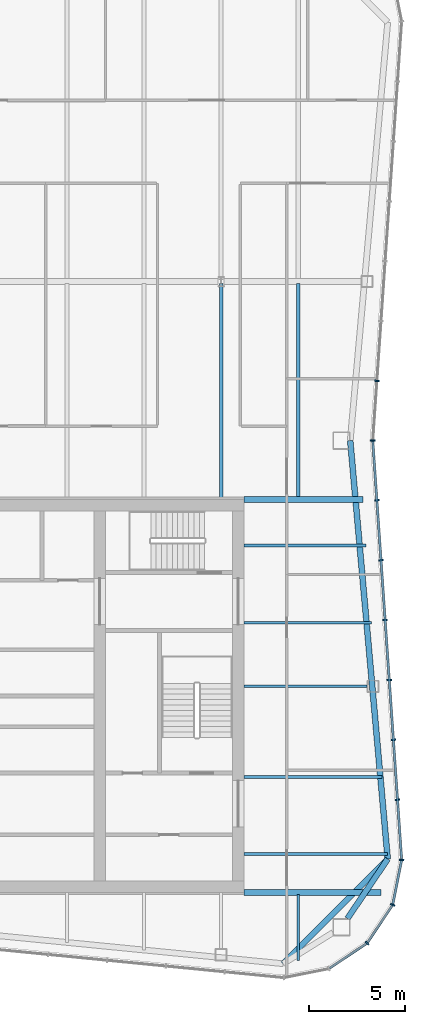
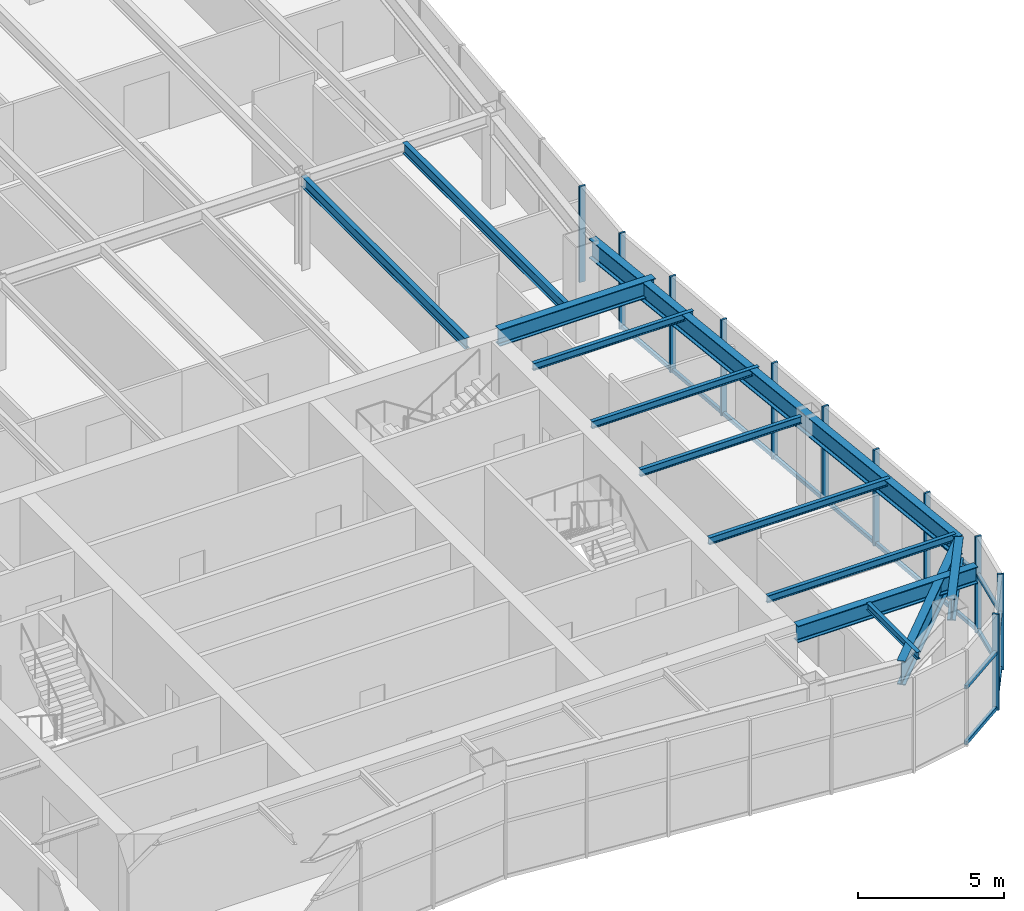
# One storey, part 5 of 13: 19 members, 13 beams, 2 elements without a shape of their own.
"""IFC4 building model written with IfcOpenShell, lengths in metres."""

from ifc_helpers import new_model, si_unit, direction, frame, origin, origin_2d, place, context, subcontext, project, spatial, rectangle, i_section, extrude, material, material_profile, profile_set, type_object, element, aggregate, save


model = new_model("IFC4")

# Units and contexts
model_context = context("Model", 3, precision=1e-05, world=origin(), true_north=direction((0.0, 1.0)))
body_context = subcontext(model_context, "Body", "Model", "MODEL_VIEW")
ifc_project = project(units=[si_unit("LENGTHUNIT", "METRE"), si_unit("AREAUNIT", "SQUARE_METRE"), si_unit("VOLUMEUNIT", "CUBIC_METRE"), si_unit("PLANEANGLEUNIT", "RADIAN"), si_unit("MASSUNIT", "GRAM", prefix="KILO")], contexts=[model_context])

# Site, building, storey
site_placement = place(None, origin())
site = spatial("IfcSite", under=ifc_project, at=site_placement, CompositionType="ELEMENT")
building_placement = place(site_placement, origin())
building = spatial("IfcBuilding", under=site, at=building_placement, Name="Verdant Reach Tower", CompositionType="ELEMENT")
storey_placement = place(building_placement, frame((0.0, 0.0, 364.0)))
storey = spatial("IfcBuildingStorey", under=building, at=storey_placement, Name="L82 Plant", CompositionType="ELEMENT", Elevation=364.0)

# Curtain wall, members
ifc_material_1 = material(Name="Anodised aluminium", Category="aluminium")
curtain_wall_type = type_object("IfcCurtainWallType", Name="EN-CW SYSTEM PLANT", PredefinedType="NOTDEFINED", material=ifc_material_1)
curtain_wall_1_placement = place(storey_placement, origin())
curtain_wall_1 = element("IfcCurtainWall", 1, at=curtain_wall_1_placement, inside=storey, type_object=curtain_wall_type, Name="Curtain wall south-east corner, L82", PredefinedType="NOTDEFINED")
ifc_material_profile_1 = material_profile(ifc_material_1, rectangle(XDim=0.238037109375, YDim=0.080078125, at=origin_2d()), Name="Mullion 80x240")
ifc_profile_set_1 = profile_set([ifc_material_profile_1], Name="Anodised aluminium")
member_type_1 = type_object("IfcMemberType", Name="EN-MULLION PLANT", PredefinedType="MULLION", material=ifc_profile_set_1)
member_1_placement = place(storey_placement, frame((19.57666015625, 15.17333984375, -0.35009765625), z_axis=(0.0, 0.0, 1.0), x_axis=(0.707106781187, -0.707106781187, 0.0)))
member_1 = element("IfcMember", 2, at=member_1_placement, type_object=member_type_1, Name="Mullion south-east corner 3, L82", PredefinedType="MULLION", context=body_context, shape_type="SweptSolid", body=[
    extrude(rectangle(XDim=0.238037109375, YDim=0.080078125, at=origin_2d()), origin(), (0.0, 0.0, 1.0), 4.0),
])
member_2_placement = place(storey_placement, frame((20.9033203125, 17.158447265625, -0.35009765625), z_axis=(0.0, 0.0, 1.0), x_axis=(0.923875215753, -0.382693853776, 0.0)))
member_2 = element("IfcMember", 3, at=member_2_placement, type_object=member_type_1, Name="Mullion south-east corner 4, L82", PredefinedType="MULLION", context=body_context, shape_type="SweptSolid", body=[
    extrude(rectangle(XDim=0.238037109375, YDim=0.080078125, at=origin_2d()), origin(), (0.0, 0.0, 1.0), 4.0),
])

curtain_wall_2_placement = place(storey_placement, origin())
curtain_wall_2 = element("IfcCurtainWall", 4, at=curtain_wall_2_placement, inside=storey, type_object=curtain_wall_type, Name="Curtain wall east, L82", PredefinedType="NOTDEFINED")
member_3_placement = place(storey_placement, frame((21.36865234375, 19.492431640625, -0.35009765625), z_axis=(0.0, 0.0, 1.0), x_axis=(0.997969180898, -0.063698618332, 0.0)))
member_3 = element("IfcMember", 5, at=member_3_placement, type_object=member_type_1, Name="Mullion east face part 1 1, L82", PredefinedType="MULLION", context=body_context, shape_type="SweptSolid", body=[
    extrude(rectangle(XDim=0.238037109375, YDim=0.080078125, at=origin_2d()), origin(), (0.0, 0.0, 1.0), 4.0),
])
member_4_placement = place(storey_placement, frame((21.154541015625, 22.615234375, -0.35009765625), z_axis=(0.0, 0.0, 1.0), x_axis=(0.997630328423, 0.068802091615, 0.0)))
member_4 = element("IfcMember", 6, at=member_4_placement, type_object=member_type_1, Name="Mullion east face part 1 2, L82", PredefinedType="MULLION", context=body_context, shape_type="SweptSolid", body=[
    extrude(rectangle(XDim=0.238037109375, YDim=0.080078125, at=origin_2d()), origin(), (0.0, 0.0, 1.0), 4.0),
])
member_5_placement = place(storey_placement, frame((20.940185546875, 25.722412109375, -0.35009765625), z_axis=(0.0, 0.0, 1.0), x_axis=(0.997630328423, 0.068802091615, 0.0)))
member_5 = element("IfcMember", 7, at=member_5_placement, type_object=member_type_1, Name="Mullion east face part 1 3, L82", PredefinedType="MULLION", context=body_context, shape_type="SweptSolid", body=[
    extrude(rectangle(XDim=0.238037109375, YDim=0.080078125, at=origin_2d()), origin(), (0.0, 0.0, 1.0), 4.0),
])
member_6_placement = place(storey_placement, frame((20.725830078125, 28.82958984375, -0.35009765625), z_axis=(0.0, 0.0, 1.0), x_axis=(0.997630328423, 0.068802091615, 0.0)))
member_6 = element("IfcMember", 8, at=member_6_placement, type_object=member_type_1, Name="Mullion east face part 1 4, L82", PredefinedType="MULLION", context=body_context, shape_type="SweptSolid", body=[
    extrude(rectangle(XDim=0.238037109375, YDim=0.080078125, at=origin_2d()), origin(), (0.0, 0.0, 1.0), 4.0),
])
member_7_placement = place(storey_placement, frame((20.511474609375, 31.936767578125, -0.35009765625), z_axis=(0.0, 0.0, 1.0), x_axis=(0.997630328423, 0.068802091615, 0.0)))
member_7 = element("IfcMember", 9, at=member_7_placement, type_object=member_type_1, Name="Mullion east face part 1 5, L82", PredefinedType="MULLION", context=body_context, shape_type="SweptSolid", body=[
    extrude(rectangle(XDim=0.238037109375, YDim=0.080078125, at=origin_2d()), origin(), (0.0, 0.0, 1.0), 4.0),
])
member_8_placement = place(storey_placement, frame((20.29736328125, 35.0439453125, -0.35009765625), z_axis=(0.0, 0.0, 1.0), x_axis=(0.997630328423, 0.068802091615, 0.0)))
member_8 = element("IfcMember", 10, at=member_8_placement, type_object=member_type_1, Name="Mullion east face part 1 6, L82", PredefinedType="MULLION", context=body_context, shape_type="SweptSolid", body=[
    extrude(rectangle(XDim=0.238037109375, YDim=0.080078125, at=origin_2d()), origin(), (0.0, 0.0, 1.0), 4.0),
])
member_9_placement = place(storey_placement, frame((20.0830078125, 38.151123046875, -0.35009765625), z_axis=(0.0, 0.0, 1.0), x_axis=(0.997630328423, 0.068802091615, 0.0)))
member_9 = element("IfcMember", 11, at=member_9_placement, type_object=member_type_1, Name="Mullion east face part 1 7, L82", PredefinedType="MULLION", context=body_context, shape_type="SweptSolid", body=[
    extrude(rectangle(XDim=0.238037109375, YDim=0.080078125, at=origin_2d()), origin(), (0.0, 0.0, 1.0), 4.0),
])
member_10_placement = place(storey_placement, frame((19.868896484375, 41.25, -0.35009765625), z_axis=(0.0, 0.0, 1.0), x_axis=(1.0, 0.0, 0.0)))
member_10 = element("IfcMember", 12, at=member_10_placement, type_object=member_type_1, Name="Mullion east face part 2 1, L82", PredefinedType="MULLION", context=body_context, shape_type="SweptSolid", body=[
    extrude(rectangle(XDim=0.238037109375, YDim=0.080078125, at=origin_2d()), origin(), (0.0, 0.0, 1.0), 4.0),
])
member_11_placement = place(storey_placement, frame((20.0830078125, 44.348876953125, -0.35009765625), z_axis=(0.0, 0.0, 1.0), x_axis=(0.997630328423, -0.068802091615, 0.0)))
member_11 = element("IfcMember", 13, at=member_11_placement, type_object=member_type_1, Name="Mullion east face part 2 2, L82", PredefinedType="MULLION", context=body_context, shape_type="SweptSolid", body=[
    extrude(rectangle(XDim=0.238037109375, YDim=0.080078125, at=origin_2d()), origin(), (0.0, 0.0, 1.0), 4.0),
])

# Member
ifc_material_profile_2 = material_profile(ifc_material_1, rectangle(XDim=0.1201171875, YDim=0.14990234375, at=origin_2d()), Name="Transom 150x120")
ifc_profile_set_2 = profile_set([ifc_material_profile_2], Name="Anodised aluminium")
member_type_2 = type_object("IfcMemberType", Name="EN-TRANSOM PLANT", PredefinedType="USERDEFINED", material=ifc_profile_set_2)
member_12_placement = place(storey_placement, frame((17.625, 13.868896484375, -0.27490234375), z_axis=(0.831398626828, 0.5556764556, 0.0), x_axis=(-0.5556764556, 0.831398626828, 0.0)))
member_12 = element("IfcMember", 14, at=member_12_placement, type_object=member_type_2, Name="Transom south-east corner 2.1, L82", ObjectType="TRANSOM", PredefinedType="USERDEFINED", context=body_context, shape_type="SweptSolid", body=[
    extrude(rectangle(XDim=0.1201171875, YDim=0.14990234375, at=origin_2d()), origin(), (0.0, 0.0, 1.0), 2.3076171875),
])

member_13_placement = place(storey_placement, frame((19.598876953125, 15.20654296875, -0.27490234375), z_axis=(0.5556764556, 0.831398626828, 0.0), x_axis=(-0.831398626828, 0.5556764556, 0.0)))
member_13 = element("IfcMember", 15, at=member_13_placement, type_object=member_type_2, Name="Transom south-east corner 3.1, L82", ObjectType="TRANSOM", PredefinedType="USERDEFINED", context=body_context, shape_type="SweptSolid", body=[
    extrude(rectangle(XDim=0.1201171875, YDim=0.14990234375, at=origin_2d()), origin(), (0.0, 0.0, 1.0), 2.3076171875),
])

member_14_placement = place(storey_placement, frame((20.9111328125, 17.197509765625, -0.27490234375), z_axis=(0.195524121666, 0.980698892549, 0.0), x_axis=(-0.980698892549, 0.195524121666, 0.0)))
member_14 = element("IfcMember", 16, at=member_14_placement, type_object=member_type_2, Name="Transom south-east corner 4.1, L82", ObjectType="TRANSOM", PredefinedType="USERDEFINED", context=body_context, shape_type="SweptSolid", body=[
    extrude(rectangle(XDim=0.1201171875, YDim=0.14990234375, at=origin_2d()), origin(), (0.0, 0.0, 1.0), 2.300048828125),
])

member_15_placement = place(storey_placement, frame((17.625, 13.868896484375, 2.050048828125), z_axis=(0.831398626828, 0.5556764556, 0.0), x_axis=(-0.5556764556, 0.831398626828, 0.0)))
member_15 = element("IfcMember", 17, at=member_15_placement, type_object=member_type_2, Name="Transom south-east corner 2.2, L82", ObjectType="TRANSOM", PredefinedType="USERDEFINED", context=body_context, shape_type="SweptSolid", body=[
    extrude(rectangle(XDim=0.1201171875, YDim=0.14990234375, at=origin_2d()), origin(), (0.0, 0.0, 1.0), 2.3076171875),
])

member_16_placement = place(storey_placement, frame((19.598876953125, 15.20654296875, 2.050048828125), z_axis=(0.5556764556, 0.831398626828, 0.0), x_axis=(-0.831398626828, 0.5556764556, 0.0)))
member_16 = element("IfcMember", 18, at=member_16_placement, type_object=member_type_2, Name="Transom south-east corner 3.2, L82", ObjectType="TRANSOM", PredefinedType="USERDEFINED", context=body_context, shape_type="SweptSolid", body=[
    extrude(rectangle(XDim=0.1201171875, YDim=0.14990234375, at=origin_2d()), origin(), (0.0, 0.0, 1.0), 2.3076171875),
])

member_17_placement = place(storey_placement, frame((20.9111328125, 17.197509765625, 2.050048828125), z_axis=(0.195524121666, 0.980698892549, 0.0), x_axis=(-0.980698892549, 0.195524121666, 0.0)))
member_17 = element("IfcMember", 19, at=member_17_placement, type_object=member_type_2, Name="Transom south-east corner 4.2, L82", ObjectType="TRANSOM", PredefinedType="USERDEFINED", context=body_context, shape_type="SweptSolid", body=[
    extrude(rectangle(XDim=0.1201171875, YDim=0.14990234375, at=origin_2d()), origin(), (0.0, 0.0, 1.0), 2.300048828125),
])

aggregate(curtain_wall_1, [member_1, member_2, member_12, member_13, member_14, member_15, member_16, member_17])

member_18_placement = place(storey_placement, frame((21.365966796875, 19.5322265625, -0.27490234375), z_axis=(-0.068761218296, 0.997633146431, 0.0), x_axis=(-0.997633146431, -0.068761218296, 0.0)))
member_18 = element("IfcMember", 20, at=member_18_placement, type_object=member_type_2, Name="Transom east face part 1 1.1, L82", ObjectType="TRANSOM", PredefinedType="USERDEFINED", context=body_context, shape_type="SweptSolid", body=[
    extrude(rectangle(XDim=0.1201171875, YDim=0.14990234375, at=origin_2d()), origin(), (0.0, 0.0, 1.0), 21.7294921875),
])

member_19_placement = place(storey_placement, frame((21.365966796875, 19.5322265625, 2.050048828125), z_axis=(-0.068761218296, 0.997633146431, 0.0), x_axis=(-0.997633146431, -0.068761218296, 0.0)))
member_19 = element("IfcMember", 21, at=member_19_placement, type_object=member_type_2, Name="Transom east face part 1 1.2, L82", ObjectType="TRANSOM", PredefinedType="USERDEFINED", context=body_context, shape_type="SweptSolid", body=[
    extrude(rectangle(XDim=0.1201171875, YDim=0.14990234375, at=origin_2d()), origin(), (0.0, 0.0, 1.0), 21.7294921875),
])

aggregate(curtain_wall_2, [member_3, member_4, member_5, member_6, member_7, member_8, member_9, member_18, member_19, member_10, member_11])

# Beams
ifc_material_2 = material(Name="Steel S355", Category="steel")
ifc_material_profile_3 = material_profile(ifc_material_2, i_section(OverallWidth=0.300048828125, OverallDepth=0.699951171875, WebThickness=0.01708984375, FlangeThickness=0.031982421875, FilletRadius=0.027099609375, at=origin_2d()), Name="HEB 700")
ifc_profile_set_3 = profile_set([ifc_material_profile_3], Name="Steel S355")
beam_type_1 = type_object("IfcBeamType", Name="ST-BEAM-HEB700", PredefinedType="BEAM", material=ifc_profile_set_3)
beam_1_placement = place(storey_placement, frame((13.199951171875, 38.199951171875, 3.5), z_axis=(1.0, 0.0, 0.0), x_axis=(0.0, 1.0, 0.0)))
element("IfcBeam", 22, at=beam_1_placement, inside=storey, type_object=beam_type_1, Name="Trimmer beam, L82 Plant", PredefinedType="BEAM", context=body_context, shape_type="SweptSolid", body=[
    extrude(i_section(OverallWidth=0.300048828125, OverallDepth=0.699951171875, WebThickness=0.01708984375, FlangeThickness=0.031982421875, FilletRadius=0.027099609375, at=origin_2d()), origin(), (0.0, 0.0, 1.0), 6.158935546875),
])
beam_2_placement = place(storey_placement, frame((13.199951171875, 17.800048828125, 3.5), z_axis=(1.0, 0.0, 0.0), x_axis=(0.0, 1.0, 0.0)))
element("IfcBeam", 23, at=beam_2_placement, inside=storey, type_object=beam_type_1, Name="Trimmer beam, L82 Plant", PredefinedType="BEAM", context=body_context, shape_type="SweptSolid", body=[
    extrude(i_section(OverallWidth=0.300048828125, OverallDepth=0.699951171875, WebThickness=0.01708984375, FlangeThickness=0.031982421875, FilletRadius=0.027099609375, at=origin_2d()), origin(), (0.0, 0.0, 1.0), 7.10009765625),
])
ifc_material_profile_4 = material_profile(ifc_material_2, i_section(OverallWidth=0.302001953125, OverallDepth=0.909912109375, WebThickness=0.02099609375, FlangeThickness=0.0400390625, FilletRadius=0.030029296875, at=origin_2d()), Name="HEM 900")
ifc_profile_set_4 = profile_set([ifc_material_profile_4], Name="Steel S355")
beam_type_2 = type_object("IfcBeamType", Name="ST-BEAM-HEM900", PredefinedType="BEAM", material=ifc_profile_set_4)
beam_3_placement = place(storey_placement, frame((18.5546875, 16.449951171875, 3.39501953125), z_axis=(0.560667226688, 0.828041219335, 0.0), x_axis=(-0.828041219335, 0.560667226688, 0.0)))
element("IfcBeam", 24, at=beam_3_placement, inside=storey, type_object=beam_type_2, Name="Column stub beam, L82 Plant", PredefinedType="BEAM", context=body_context, shape_type="SweptSolid", body=[
    extrude(i_section(OverallWidth=0.302001953125, OverallDepth=0.909912109375, WebThickness=0.02099609375, FlangeThickness=0.0400390625, FilletRadius=0.030029296875, at=origin_2d()), origin(), (0.0, 0.0, 1.0), 3.72998046875),
])
ifc_material_profile_5 = material_profile(ifc_material_2, i_section(OverallWidth=0.14990234375, OverallDepth=0.300048828125, WebThickness=0.007080078125, FlangeThickness=0.0107421875, FilletRadius=0.014892578125, at=origin_2d()), Name="IPE 300")
ifc_profile_set_5 = profile_set([ifc_material_profile_5], Name="Steel S355")
beam_type_3 = type_object("IfcBeamType", Name="ST-JOIST-IPE300", PredefinedType="JOIST", material=ifc_profile_set_5)
beam_4_placement = place(storey_placement, frame((16.0, 17.699951171875, 3.699951171875), z_axis=(0.0, -1.0, 0.0), x_axis=(1.0, 0.0, 0.0)))
element("IfcBeam", 25, at=beam_4_placement, inside=storey, type_object=beam_type_3, Name="Floor joist, L82 Plant", PredefinedType="JOIST", context=body_context, shape_type="SweptSolid", body=[
    extrude(i_section(OverallWidth=0.14990234375, OverallDepth=0.300048828125, WebThickness=0.007080078125, FlangeThickness=0.0107421875, FilletRadius=0.014892578125, at=origin_2d()), origin(), (0.0, 0.0, 1.0), 3.43896484375),
])
beam_5_placement = place(storey_placement, frame((13.199951171875, 19.800048828125, 3.699951171875), z_axis=(1.0, 0.0, 0.0), x_axis=(0.0, 1.0, 0.0)))
element("IfcBeam", 26, at=beam_5_placement, inside=storey, type_object=beam_type_3, Name="Floor joist, L82 Plant", PredefinedType="JOIST", context=body_context, shape_type="SweptSolid", body=[
    extrude(i_section(OverallWidth=0.14990234375, OverallDepth=0.300048828125, WebThickness=0.007080078125, FlangeThickness=0.0107421875, FilletRadius=0.014892578125, at=origin_2d()), origin(), (0.0, 0.0, 1.0), 7.427978515625),
])
beam_6_placement = place(storey_placement, frame((13.199951171875, 23.800048828125, 3.699951171875), z_axis=(1.0, 0.0, 0.0), x_axis=(0.0, 1.0, 0.0)))
element("IfcBeam", 27, at=beam_6_placement, inside=storey, type_object=beam_type_3, Name="Floor joist, L82 Plant", PredefinedType="JOIST", context=body_context, shape_type="SweptSolid", body=[
    extrude(i_section(OverallWidth=0.14990234375, OverallDepth=0.300048828125, WebThickness=0.007080078125, FlangeThickness=0.0107421875, FilletRadius=0.014892578125, at=origin_2d()), origin(), (0.0, 0.0, 1.0), 7.152099609375),
])
beam_7_placement = place(storey_placement, frame((13.199951171875, 28.5, 3.699951171875), z_axis=(1.0, 0.0, 0.0), x_axis=(0.0, 1.0, 0.0)))
element("IfcBeam", 28, at=beam_7_placement, inside=storey, type_object=beam_type_3, Name="Floor joist, L82 Plant", PredefinedType="JOIST", context=body_context, shape_type="SweptSolid", body=[
    extrude(i_section(OverallWidth=0.14990234375, OverallDepth=0.300048828125, WebThickness=0.007080078125, FlangeThickness=0.0107421875, FilletRadius=0.014892578125, at=origin_2d()), origin(), (0.0, 0.0, 1.0), 6.37939453125),
])
beam_8_placement = place(storey_placement, frame((13.199951171875, 31.800048828125, 3.699951171875), z_axis=(1.0, 0.0, 0.0), x_axis=(0.0, 1.0, 0.0)))
element("IfcBeam", 29, at=beam_8_placement, inside=storey, type_object=beam_type_3, Name="Floor joist, L82 Plant", PredefinedType="JOIST", context=body_context, shape_type="SweptSolid", body=[
    extrude(i_section(OverallWidth=0.14990234375, OverallDepth=0.300048828125, WebThickness=0.007080078125, FlangeThickness=0.0107421875, FilletRadius=0.014892578125, at=origin_2d()), origin(), (0.0, 0.0, 1.0), 6.600341796875),
])
beam_9_placement = place(storey_placement, frame((13.199951171875, 35.800048828125, 3.699951171875), z_axis=(1.0, 0.0, 0.0), x_axis=(0.0, 1.0, 0.0)))
element("IfcBeam", 30, at=beam_9_placement, inside=storey, type_object=beam_type_3, Name="Floor joist, L82 Plant", PredefinedType="JOIST", context=body_context, shape_type="SweptSolid", body=[
    extrude(i_section(OverallWidth=0.14990234375, OverallDepth=0.300048828125, WebThickness=0.007080078125, FlangeThickness=0.0107421875, FilletRadius=0.014892578125, at=origin_2d()), origin(), (0.0, 0.0, 1.0), 6.324462890625),
])
ifc_material_profile_6 = material_profile(ifc_material_2, i_section(OverallWidth=0.18994140625, OverallDepth=0.449951171875, WebThickness=0.009521484375, FlangeThickness=0.0146484375, FilletRadius=0.02099609375, at=origin_2d()), Name="IPE 450")
ifc_profile_set_6 = profile_set([ifc_material_profile_6], Name="Steel S355")
beam_type_4 = type_object("IfcBeamType", Name="ST-JOIST-IPE450", PredefinedType="JOIST", material=ifc_profile_set_6)
beam_10_placement = place(storey_placement, frame((12.0, 38.199951171875, 3.625), z_axis=(0.0, 1.0, 0.0), x_axis=(-1.0, 0.0, 0.0)))
element("IfcBeam", 31, at=beam_10_placement, inside=storey, type_object=beam_type_4, Name="Floor joist, L82 Plant", PredefinedType="JOIST", context=body_context, shape_type="SweptSolid", body=[
    extrude(i_section(OverallWidth=0.18994140625, OverallDepth=0.449951171875, WebThickness=0.009521484375, FlangeThickness=0.0146484375, FilletRadius=0.02099609375, at=origin_2d()), origin(), (0.0, 0.0, 1.0), 11.199951171875),
])
beam_11_placement = place(storey_placement, frame((16.0, 38.300048828125, 3.625), z_axis=(0.0, 1.0, 0.0), x_axis=(-1.0, 0.0, 0.0)))
element("IfcBeam", 32, at=beam_11_placement, inside=storey, type_object=beam_type_4, Name="Floor joist, L82 Plant", PredefinedType="JOIST", context=body_context, shape_type="SweptSolid", body=[
    extrude(i_section(OverallWidth=0.18994140625, OverallDepth=0.449951171875, WebThickness=0.009521484375, FlangeThickness=0.0146484375, FilletRadius=0.02099609375, at=origin_2d()), origin(), (0.0, 0.0, 1.0), 11.099853515625),
])
ifc_material_profile_7 = material_profile(ifc_material_2, i_section(OverallWidth=0.300048828125, OverallDepth=0.800048828125, WebThickness=0.017578125, FlangeThickness=0.032958984375, FilletRadius=0.030029296875, at=origin_2d()), Name="HEB 800")
ifc_profile_set_7 = profile_set([ifc_material_profile_7], Name="Steel S355")
beam_type_5 = type_object("IfcBeamType", Name="ST-SPANDREL-HEB800", PredefinedType="SPANDREL", material=ifc_profile_set_7)
beam_12_placement = place(storey_placement, frame((18.699951171875, 41.25, 3.449951171875), z_axis=(0.089274399498, -0.996007069048, 0.0), x_axis=(0.996007069048, 0.089274399498, 0.0)))
element("IfcBeam", 33, at=beam_12_placement, inside=storey, type_object=beam_type_5, Name="Edge beam, L82 Plant", PredefinedType="SPANDREL", context=body_context, shape_type="SweptSolid", body=[
    extrude(i_section(OverallWidth=0.300048828125, OverallDepth=0.800048828125, WebThickness=0.017578125, FlangeThickness=0.032958984375, FilletRadius=0.030029296875, at=origin_2d()), origin(), (0.0, 0.0, 1.0), 21.798583984375),
])
ifc_material_profile_8 = material_profile(ifc_material_2, i_section(OverallWidth=0.302001953125, OverallDepth=1.008056640625, WebThickness=0.02099609375, FlangeThickness=0.0400390625, FilletRadius=0.030029296875, at=origin_2d()), Name="HEM 1000")
ifc_profile_set_8 = profile_set([ifc_material_profile_8], Name="Steel S355")
beam_type_6 = type_object("IfcBeamType", Name="ST-SPANDREL-HEM1000", PredefinedType="SPANDREL", material=ifc_profile_set_8)
beam_13_placement = place(storey_placement, frame((20.64599609375, 19.53857421875, 3.345947265625), z_axis=(-0.706645581521, -0.707567680237, 0.0), x_axis=(0.707567680237, -0.706645581521, 0.0)))
element("IfcBeam", 34, at=beam_13_placement, inside=storey, type_object=beam_type_6, Name="Edge beam, L82 Plant", PredefinedType="SPANDREL", context=body_context, shape_type="SweptSolid", body=[
    extrude(i_section(OverallWidth=0.302001953125, OverallDepth=1.008056640625, WebThickness=0.02099609375, FlangeThickness=0.0400390625, FilletRadius=0.030029296875, at=origin_2d()), origin(), (0.0, 0.0, 1.0), 7.67822265625),
])

save(model, "model.ifc")
